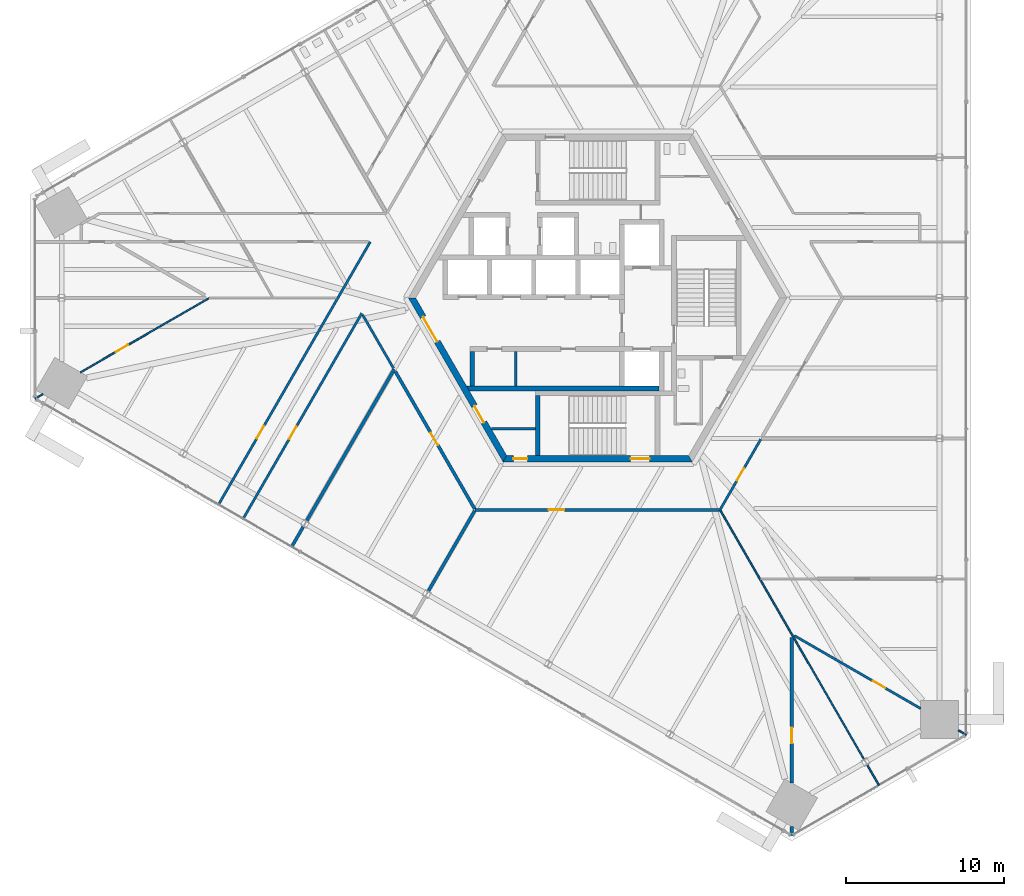
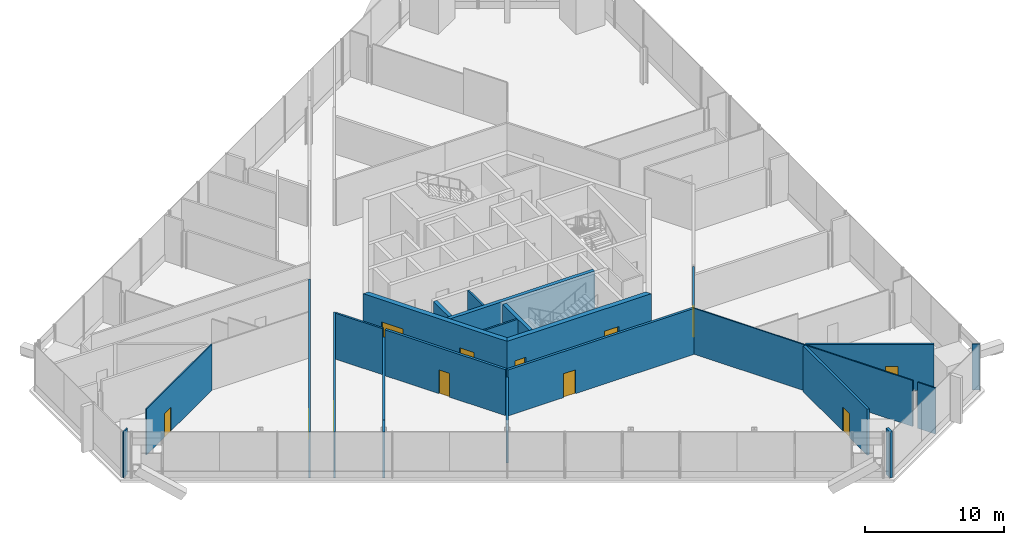
# One storey, part 16 of 22: 24 walls, 12 doors, 12 openings.
"""IFC4 building model written with IfcOpenShell, lengths in metres."""

import ifcopenshell
import ifcopenshell.guid

model = None  # the IFC model being written
_history = None  # IfcOwnerHistory: only IFC2X3 demands one
_inside = {}  # id of a spatial element -> (the spatial element, [elements in it])
_under = {}  # id of a project, library or spatial element -> (it, [spatial elements below it])
_declared = {}  # id of a project -> (the project, [libraries it declares])
_typed = {}  # id of a type object -> (the type object, [elements of that type])
_made_of = {}  # id of a material, layer set ... -> (it, [elements and type objects made of it])


def new_model(schema):
    """Start an empty IFC model of exactly this schema.

    Asked for "IFC4X3", IfcOpenShell would pick the latest addendum, in which some entities
    have other attributes; the version numbers below select the first issue.
    IFC2X3 requires an IfcOwnerHistory on every rooted entity: one is made here for all.
    """
    global model, _history
    if schema == "IFC4X3":
        model = ifcopenshell.file(schema_version=(4, 3, 0, 0))
    else:
        model = ifcopenshell.file(schema=schema)
    _inside.clear()
    _under.clear()
    _declared.clear()
    _typed.clear()
    _made_of.clear()
    _history = None
    if model.schema == "IFC2X3":
        org = make("IfcOrganization", Name="unknown")
        user = make(
            "IfcPersonAndOrganization",
            ThePerson=make("IfcPerson", FamilyName="unknown"),
            TheOrganization=org,
        )
        app = make(
            "IfcApplication",
            ApplicationDeveloper=org,
            Version="unknown",
            ApplicationFullName="unknown",
            ApplicationIdentifier="unknown",
        )
        _history = make(
            "IfcOwnerHistory",
            OwningUser=user,
            OwningApplication=app,
            ChangeAction="ADDED",
            CreationDate=0,
        )
    return model


def make(cls, **values):
    """One entity of the class cls with the attributes given. An attribute that is None is left unset."""
    return model.create_entity(
        cls, **{name: value for name, value in values.items() if value is not None}
    )


def rooted(cls, **values):
    """An entity with a GlobalId (a new one), such as an element, a storey or a relation."""
    return make(cls, GlobalId=ifcopenshell.guid.new(), OwnerHistory=_history, **values)


def si_unit(unit_type, name, prefix=None):
    """IfcSIUnit, for example si_unit("LENGTHUNIT", "METRE", prefix="MILLI")."""
    return make("IfcSIUnit", UnitType=unit_type, Prefix=prefix, Name=name)


def assignment(units):
    """IfcUnitAssignment: the units of a project."""
    return None if units is None else make("IfcUnitAssignment", Units=units)


def point(xyz):
    """IfcCartesianPoint."""
    return None if xyz is None else make("IfcCartesianPoint", Coordinates=xyz)


def direction(xyz):
    """IfcDirection."""
    return None if xyz is None else make("IfcDirection", DirectionRatios=xyz)


def frame(location, z_axis=None, x_axis=None):
    """IfcAxis2Placement3D, a coordinate frame: its origin and axes. An axis left out is left unset."""
    return make(
        "IfcAxis2Placement3D",
        Location=point(location),
        Axis=direction(z_axis),
        RefDirection=direction(x_axis),
    )


def frame_2d(location, x_axis=None):
    """IfcAxis2Placement2D, a coordinate frame in the plane: its origin and x axis."""
    return make(
        "IfcAxis2Placement2D", Location=point(location), RefDirection=direction(x_axis)
    )


def origin():
    """The frame at (0, 0, 0) with its axes left unset."""
    return frame((0.0, 0.0, 0.0))


def place(relative_to, where):
    """IfcLocalPlacement: puts the frame where relative to a parent placement (None: the world)."""
    return make(
        "IfcLocalPlacement", PlacementRelTo=relative_to, RelativePlacement=where
    )


def context(
    kind, dimensions, precision=None, world=None, true_north=None, identifier=None
):
    """IfcGeometricRepresentationContext, for example the 3D "Model" context."""
    return make(
        "IfcGeometricRepresentationContext",
        ContextIdentifier=identifier,
        ContextType=kind,
        CoordinateSpaceDimension=dimensions,
        Precision=precision,
        WorldCoordinateSystem=world,
        TrueNorth=true_north,
    )


def subcontext(parent, identifier, kind, view, scale=None):
    """IfcGeometricRepresentationSubContext, for example "Body" below "Model"."""
    return make(
        "IfcGeometricRepresentationSubContext",
        ContextIdentifier=identifier,
        ContextType=kind,
        ParentContext=parent,
        TargetScale=scale,
        TargetView=view,
    )


def project(units=None, contexts=None):
    """IfcProject with its units and contexts."""
    return rooted(
        "IfcProject",
        Name="project",
        RepresentationContexts=contexts,
        UnitsInContext=assignment(units),
    )


def spatial(cls, under=None, at=None, **own):
    """A site, building, storey or space (cls), placed at a placement, below another one or the project."""
    s = rooted(cls, ObjectPlacement=at, **own)
    if under is not None:
        _under.setdefault(under.id(), (under, []))[1].append(s)
    return s


def polyline(points):
    """IfcPolyline through the points."""
    return make("IfcPolyline", Points=[point(p) for p in points])


def profile(cls, at=None, kind="AREA", **sizes):
    """A parametric profile (cls). Its sizes go by their IFC names, for example OverallWidth=200.0."""
    return make(cls, ProfileType=kind, Position=at, **sizes)


def rectangle(**sizes):
    """IfcRectangleProfileDef."""
    return profile("IfcRectangleProfileDef", **sizes)


def outline(outer, holes=None, kind="AREA"):
    """IfcArbitraryClosedProfileDef: a profile drawn as a closed curve; with holes, ...WithVoids."""
    if holes is None:
        return make("IfcArbitraryClosedProfileDef", ProfileType=kind, OuterCurve=outer)
    return make(
        "IfcArbitraryProfileDefWithVoids",
        ProfileType=kind,
        OuterCurve=outer,
        InnerCurves=holes,
    )


def extrude(swept, where, along, depth):
    """IfcExtrudedAreaSolid: the profile swept, set in the frame where, extruded along a direction by depth."""
    return make(
        "IfcExtrudedAreaSolid",
        SweptArea=swept,
        Position=where,
        ExtrudedDirection=direction(along),
        Depth=depth,
    )


def shape(context_of_items, identifier, shape_type, items):
    """IfcShapeRepresentation: the items that make up one representation, for example the "Body"."""
    return make(
        "IfcShapeRepresentation",
        ContextOfItems=context_of_items,
        RepresentationIdentifier=identifier,
        RepresentationType=shape_type,
        Items=items,
    )


def source(mapping_origin, context_of_items, identifier, shape_type, items):
    """IfcRepresentationMap: a shape defined once, which mapped items show again and again."""
    return make(
        "IfcRepresentationMap",
        MappingOrigin=mapping_origin,
        MappedRepresentation=shape(context_of_items, identifier, shape_type, items),
    )


def transform(
    local_origin,
    x_axis=None,
    y_axis=None,
    z_axis=None,
    scale=None,
    scale2=None,
    scale3=None,
    uniform=True,
):
    """IfcCartesianTransformationOperator3D, or its non-uniform kind. x_axis, y_axis, z_axis: its Axis1, 2, 3."""
    if uniform:
        return make(
            "IfcCartesianTransformationOperator3D",
            Axis1=direction(x_axis),
            Axis2=direction(y_axis),
            LocalOrigin=point(local_origin),
            Scale=scale,
            Axis3=direction(z_axis),
        )
    return make(
        "IfcCartesianTransformationOperator3DnonUniform",
        Axis1=direction(x_axis),
        Axis2=direction(y_axis),
        LocalOrigin=point(local_origin),
        Scale=scale,
        Axis3=direction(z_axis),
        Scale2=scale2,
        Scale3=scale3,
    )


def mapped(mapping_source, mapping_target):
    """IfcMappedItem: shows the shape of a source again, moved by a transform."""
    return make(
        "IfcMappedItem", MappingSource=mapping_source, MappingTarget=mapping_target
    )


def material(Name=None, Category=None):
    """IfcMaterial."""
    return make("IfcMaterial", Name=Name, Category=Category)


def layer(
    of_material, thickness, ventilated=None, Name=None, Category=None, Priority=None
):
    """IfcMaterialLayer: one layer of a wall or slab, of a material (None: an air gap)."""
    return make(
        "IfcMaterialLayer",
        Material=of_material,
        LayerThickness=thickness,
        IsVentilated=ventilated,
        Name=Name,
        Category=Category,
        Priority=Priority,
    )


def layer_set(layers, Name=None):
    """IfcMaterialLayerSet."""
    return make("IfcMaterialLayerSet", MaterialLayers=layers, LayerSetName=Name)


def made_of(thing, what):
    """Note that an element or type object is made of a material, layer set ...; save() writes the relation."""
    if what is not None:
        _made_of.setdefault(what.id(), (what, []))[1].append(thing)
    return thing


def type_object(cls, material=None, **own):
    """A type object (cls), such as IfcWallType, which elements share."""
    return made_of(rooted(cls, **own), material)


def element(
    cls,
    number,
    at=None,
    inside=None,
    cuts=None,
    type_object=None,
    material=None,
    context=None,
    identifier="Body",
    shape_type=None,
    held_by="IfcProductDefinitionShape",
    body=None,
    shapes=None,
    **own,
):
    """One element of the class cls, such as IfcWall. Its Tag is "e" and its number.

    at: its placement. inside: the storey or other place that contains it. cuts: it is an
    opening in that element (IfcRelVoidsElement). A single representation is given by context,
    identifier, shape_type and body (its items); several are given by shapes. held_by: the class
    of the entity that holds the representations. save() writes the other relations.
    """
    e = rooted(cls, Tag="e%d" % number, ObjectPlacement=at, **own)
    if body is not None:
        shapes = [shape(context, identifier, shape_type, body)]
    if shapes is not None:
        e.Representation = make(held_by, Representations=shapes)
    if inside is not None:
        _inside.setdefault(inside.id(), (inside, []))[1].append(e)
    if cuts is not None:
        rooted(
            "IfcRelVoidsElement", RelatingBuildingElement=cuts, RelatedOpeningElement=e
        )
    if type_object is not None:
        _typed.setdefault(type_object.id(), (type_object, []))[1].append(e)
    return made_of(e, material)


def fill(opening, filler):
    """IfcRelFillsElement: the door or window that sits in an opening."""
    return rooted(
        "IfcRelFillsElement",
        RelatingOpeningElement=opening,
        RelatedBuildingElement=filler,
    )


def aggregate(whole, parts):
    """IfcRelAggregates: a whole, such as a stair, and the parts it consists of."""
    return rooted("IfcRelAggregates", RelatingObject=whole, RelatedObjects=parts)


def save(model, path):
    """Write the relations noted so far, then the file.

    IfcRelAggregates (storeys below a building ...), IfcRelContainedInSpatialStructure (elements
    in a storey), IfcRelDefinesByType, IfcRelAssociatesMaterial and IfcRelDeclares: one each for
    every whole, place, type object, material and project.
    """
    for whole, parts in _under.values():
        aggregate(whole, parts)
    for where, things in _inside.values():
        rooted(
            "IfcRelContainedInSpatialStructure",
            RelatedElements=things,
            RelatingStructure=where,
        )
    for kind, things in _typed.values():
        rooted("IfcRelDefinesByType", RelatedObjects=things, RelatingType=kind)
    for what, things in _made_of.values():
        rooted("IfcRelAssociatesMaterial", RelatedObjects=things, RelatingMaterial=what)
    for by, libraries in _declared.values():
        rooted("IfcRelDeclares", RelatingContext=by, RelatedDefinitions=libraries)
    model.write(path)


model = new_model("IFC4")

# Units and contexts
model_context = context("Model", 3, precision=1e-05, world=origin(), true_north=direction((0.0, 1.0)))
body_context = subcontext(model_context, "Body", "Model", "MODEL_VIEW")
ifc_project = project(units=[si_unit("LENGTHUNIT", "METRE"), si_unit("AREAUNIT", "SQUARE_METRE"), si_unit("VOLUMEUNIT", "CUBIC_METRE"), si_unit("PLANEANGLEUNIT", "RADIAN"), si_unit("MASSUNIT", "GRAM", prefix="KILO")], contexts=[model_context])

# Site, building, storey
site_placement = place(None, origin())
site = spatial("IfcSite", under=ifc_project, at=site_placement, CompositionType="ELEMENT")
building_placement = place(site_placement, origin())
building = spatial("IfcBuilding", under=site, at=building_placement, Name="Triune Harvest Tower", CompositionType="ELEMENT")
storey_placement = place(building_placement, frame((0.0, 0.0, 50.39990234375)))
storey = spatial("IfcBuildingStorey", under=building, at=storey_placement, Name="L11", CompositionType="ELEMENT", Elevation=50.39990234375)

# Walls
ifc_material_1 = material(Name="Concrete masonry unit", Category="masonry")
ifc_layer_1 = layer(ifc_material_1, 0.14990234375)
ifc_layer_set_1 = layer_set([ifc_layer_1], Name="Concrete masonry unit")
wall_type_1 = type_object("IfcWallType", Name="Block partition 150", PredefinedType="PARTITIONING", material=ifc_layer_set_1)
wall_1_placement = place(storey_placement, frame((-5.199951171875, -5.590087890625, 0.0), z_axis=(0.0, 0.0, 1.0), x_axis=(0.0, 1.0, 0.0)))
element("IfcWall", 1, at=wall_1_placement, inside=storey, type_object=wall_type_1, Name="Row s part 1 wall", PredefinedType="PARTITIONING", context=body_context, shape_type="SweptSolid", body=[
    extrude(rectangle(XDim=2.2001953125, YDim=0.14990234375, at=frame_2d((1.10009765625, 0.0))), origin(), (0.0, 0.0, 1.0), 4.050048828125),
])
wall_2_placement = place(storey_placement, frame((-6.72705078125, -8.300048828125, 0.0), z_axis=(0.0, 0.0, 1.0), x_axis=(1.0, 0.0, 0.0)))
element("IfcWall", 2, at=wall_2_placement, inside=storey, type_object=wall_type_1, Name="Sw part wall", PredefinedType="PARTITIONING", context=body_context, shape_type="SweptSolid", body=[
    extrude(rectangle(XDim=2.777099609375, YDim=0.14990234375, at=frame_2d((1.388671875, 0.0))), origin(), (0.0, 0.0, 1.0), 4.050048828125),
])
ifc_material_2 = material(Name="Concrete 70 MPa", Category="concrete")
ifc_layer_2 = layer(ifc_material_2, 0.300048828125)
ifc_layer_set_2 = layer_set([ifc_layer_2], Name="Concrete 70 MPa")
wall_type_2 = type_object("IfcWallType", Name="Core wall 300", PredefinedType="SHEAR", material=ifc_layer_set_2)
wall_3_placement = place(storey_placement, frame((-8.10009765625, -5.739990234375, 0.0), z_axis=(0.0, 0.0, 1.0), x_axis=(1.0, 0.0, 0.0)))
element("IfcWall", 3, at=wall_3_placement, inside=storey, type_object=wall_type_2, Name="South back wall", PredefinedType="SHEAR", context=body_context, shape_type="SweptSolid", body=[
    extrude(outline(polyline([(12.0, -0.14990234375), (-0.039794921875, -0.14990234375), (-0.212890625, 0.14990234375), (12.0, 0.14990234375), (12.0, -0.14990234375)])), origin(), (0.0, 0.0, 1.0), 4.050048828125),
])
ifc_material_3 = material(Name="Gypsum board on steel studs", Category="steel")
ifc_layer_3 = layer(ifc_material_3, 0.14990234375)
ifc_layer_set_3 = layer_set([ifc_layer_3], Name="Gypsum board on steel studs")
wall_type_3 = type_object("IfcWallType", Name="Fire Partition 150 mm", PredefinedType="PARTITIONING", material=ifc_layer_set_3)
wall_4_placement = place(storey_placement, frame((-14.902587890625, -1.072509765625, 0.0), z_axis=(0.0, 0.0, 1.0), x_axis=(0.500012721296, -0.866018059016, 0.0)))
element("IfcWall", 4, at=wall_4_placement, inside=storey, type_object=wall_type_3, Name="Partition L11 004", PredefinedType="PARTITIONING", context=body_context, shape_type="SweptSolid", body=[
    extrude(rectangle(XDim=3.931640625, YDim=0.14990234375, at=frame_2d((1.9658203125, 0.0))), origin(), (0.0, 0.0, 1.0), 4.050048828125),
])

# Wall, opening, door
wall_5_placement = place(storey_placement, frame((12.4736328125, -21.414794921875, 0.0), z_axis=(0.0, 0.0, 1.0), x_axis=(0.86602701864, -0.499997202977, 0.0)))
wall_5 = element("IfcWall", 5, at=wall_5_placement, inside=storey, type_object=wall_type_3, Name="Partition L11 020", PredefinedType="PARTITIONING", context=body_context, shape_type="SweptSolid", body=[
    extrude(rectangle(XDim=9.255859375, YDim=0.14990234375, at=frame_2d((4.6279296875, 0.0))), origin(), (0.0, 0.0, 1.0), 4.050048828125),
])
opening_1_placement = place(wall_5_placement, frame((5.760009765625, 0.0, 0.0)))
opening_1 = element("IfcOpeningElement", 6, at=opening_1_placement, cuts=wall_5, Name="Opening L11-025", PredefinedType="OPENING", context=body_context, shape_type="SweptSolid", body=[
    extrude(rectangle(XDim=0.89990234375, YDim=2.10009765625, at=frame_2d((0.449951171875, 1.050048828125))), frame((0.0, 0.0849609375, 0.0), z_axis=(0.0, -1.0, 0.0), x_axis=(1.0, 0.0, 0.0)), (0.0, 0.0, 1.0), 0.169921875),
])
ifc_material_4 = material(Name="Timber and steel door set", Category="steel")
door_type_1 = type_object("IfcDoorType", Name="Single leaf door FD30 left hand 900 x 2100", OperationType="SINGLE_SWING_LEFT", PredefinedType="DOOR", material=ifc_material_4)
door_1_placement = place(opening_1_placement, origin())
door_1 = element("IfcDoor", 7, at=door_1_placement, inside=storey, type_object=door_type_1, Name="Door L11-025 Feed Store 11.25", OperationType="SINGLE_SWING_LEFT", OverallHeight=2.10009765625, OverallWidth=0.89990234375, PredefinedType="DOOR", context=body_context, shape_type="SweptSolid", body=[
    extrude(rectangle(XDim=0.89990234375, YDim=2.10009765625, at=frame_2d((0.449951171875, 1.050048828125))), frame((0.0, 0.02490234375, 0.0), z_axis=(0.0, -1.0, 0.0), x_axis=(1.0, 0.0, 0.0)), (0.0, 0.0, 1.0), 0.050048828125),
])
fill(opening_1, door_1)

wall_6_placement = place(storey_placement, frame((7.77587890625, -13.416259765625, 0.0), z_axis=(0.0, 0.0, 1.0), x_axis=(0.50002671436, 0.866009979692, 0.0)))
wall_6 = element("IfcWall", 8, at=wall_6_placement, inside=storey, type_object=wall_type_3, Name="Partition L11 045", PredefinedType="PARTITIONING", context=body_context, shape_type="SweptSolid", body=[
    extrude(rectangle(XDim=5.139892578125, YDim=0.14990234375, at=frame_2d((2.56982421875, 0.0))), origin(), (0.0, 0.0, 1.0), 4.050048828125),
])
opening_2_placement = place(wall_6_placement, frame((2.119873046875, 0.0, 0.0)))
opening_2 = element("IfcOpeningElement", 9, at=opening_2_placement, cuts=wall_6, Name="Opening L11-002", PredefinedType="OPENING", context=body_context, shape_type="SweptSolid", body=[
    extrude(rectangle(XDim=0.89990234375, YDim=2.10009765625, at=frame_2d((0.449951171875, 1.050048828125))), frame((0.0, 0.0849609375, 0.0), z_axis=(0.0, -1.0, 0.0), x_axis=(1.0, 0.0, 0.0)), (0.0, 0.0, 1.0), 0.169921875),
])
ifc_material_5 = material(Name="Timber and steel door set", Category="steel")
door_type_2 = type_object("IfcDoorType", Name="Single leaf door FD30 right hand 900 x 2100", OperationType="SINGLE_SWING_RIGHT", PredefinedType="DOOR", material=ifc_material_5)
door_2_placement = place(opening_2_placement, origin())
door_2 = element("IfcDoor", 10, at=door_2_placement, inside=storey, type_object=door_type_2, Name="Door L11-002 Staff Room 11.02", OperationType="SINGLE_SWING_RIGHT", OverallHeight=2.10009765625, OverallWidth=0.89990234375, PredefinedType="DOOR", context=body_context, shape_type="SweptSolid", body=[
    extrude(rectangle(XDim=0.89990234375, YDim=2.10009765625, at=frame_2d((0.449951171875, 1.050048828125))), frame((0.0, 0.02490234375, 0.0), z_axis=(0.0, -1.0, 0.0), x_axis=(1.0, 0.0, 0.0)), (0.0, 0.0, 1.0), 0.050048828125),
])
fill(opening_2, door_2)

wall_7_placement = place(storey_placement, frame((-22.480712890625, -14.0078125, 0.0), z_axis=(0.0, 0.0, 1.0), x_axis=(0.500001023236, 0.866024813018, 0.0)))
wall_7 = element("IfcWall", 11, at=wall_7_placement, inside=storey, type_object=wall_type_3, Name="Partition L11 052", PredefinedType="PARTITIONING", context=body_context, shape_type="SweptSolid", body=[
    extrude(rectangle(XDim=15.04638671875, YDim=0.14990234375, at=frame_2d((7.523193359375, 0.0))), origin(), (0.0, 0.0, 1.0), 4.050048828125),
])
opening_3_placement = place(wall_7_placement, frame((5.85009765625, 0.0, 0.0)))
opening_3 = element("IfcOpeningElement", 12, at=opening_3_placement, cuts=wall_7, Name="Opening L11-021", PredefinedType="OPENING", context=body_context, shape_type="SweptSolid", body=[
    extrude(rectangle(XDim=0.89990234375, YDim=2.10009765625, at=frame_2d((0.449951171875, 1.050048828125))), frame((0.0, 0.0849609375, 0.0), z_axis=(0.0, -1.0, 0.0), x_axis=(1.0, 0.0, 0.0)), (0.0, 0.0, 1.0), 0.169921875),
])
door_3_placement = place(opening_3_placement, origin())
door_3 = element("IfcDoor", 13, at=door_3_placement, inside=storey, type_object=door_type_2, Name="Door L11-021 Packing Room 11.21", OperationType="SINGLE_SWING_RIGHT", OverallHeight=2.10009765625, OverallWidth=0.89990234375, PredefinedType="DOOR", context=body_context, shape_type="SweptSolid", body=[
    extrude(rectangle(XDim=0.89990234375, YDim=2.10009765625, at=frame_2d((0.449951171875, 1.050048828125))), frame((0.0, 0.02490234375, 0.0), z_axis=(0.0, -1.0, 0.0), x_axis=(1.0, 0.0, 0.0)), (0.0, 0.0, 1.0), 0.050048828125),
])
fill(opening_3, door_3)

wall_8_placement = place(storey_placement, frame((-24.03955078125, -13.107666015625, 0.0), z_axis=(0.0, 0.0, 1.0), x_axis=(0.500008033299, 0.866020765707, 0.0)))
wall_8 = element("IfcWall", 14, at=wall_8_placement, inside=storey, type_object=wall_type_3, Name="Partition L11 055", PredefinedType="PARTITIONING", context=body_context, shape_type="SweptSolid", body=[
    extrude(rectangle(XDim=19.240478515625, YDim=0.14990234375, at=frame_2d((9.6201171875, 0.0))), origin(), (0.0, 0.0, 1.0), 4.050048828125),
])
opening_4_placement = place(wall_8_placement, frame((4.852294921875, 0.0, 0.0)))
opening_4 = element("IfcOpeningElement", 15, at=opening_4_placement, cuts=wall_8, Name="Opening L11-020", PredefinedType="OPENING", context=body_context, shape_type="SweptSolid", body=[
    extrude(rectangle(XDim=0.89990234375, YDim=2.10009765625, at=frame_2d((0.449951171875, 1.050048828125))), frame((0.0, 0.0849609375, 0.0), z_axis=(0.0, -1.0, 0.0), x_axis=(1.0, 0.0, 0.0)), (0.0, 0.0, 1.0), 0.169921875),
])
door_4_placement = place(opening_4_placement, origin())
door_4 = element("IfcDoor", 16, at=door_4_placement, inside=storey, type_object=door_type_1, Name="Door L11-020 Dry Store Room 11.20", OperationType="SINGLE_SWING_LEFT", OverallHeight=2.10009765625, OverallWidth=0.89990234375, PredefinedType="DOOR", context=body_context, shape_type="SweptSolid", body=[
    extrude(rectangle(XDim=0.89990234375, YDim=2.10009765625, at=frame_2d((0.449951171875, 1.050048828125))), frame((0.0, 0.02490234375, 0.0), z_axis=(0.0, -1.0, 0.0), x_axis=(1.0, 0.0, 0.0)), (0.0, 0.0, 1.0), 0.050048828125),
])
fill(opening_4, door_4)

ifc_material_6 = material(Name="Gypsum board on steel studs", Category="steel")
ifc_layer_4 = layer(ifc_material_6, 0.199951171875)
ifc_layer_set_4 = layer_set([ifc_layer_4], Name="Gypsum board on steel studs")
wall_type_4 = type_object("IfcWallType", Name="Fire Wall 200 mm", PredefinedType="PARTITIONING", material=ifc_layer_set_4)
wall_9_placement = place(storey_placement, frame((-12.826904296875, -4.66796875, 0.0), z_axis=(0.0, 0.0, 1.0), x_axis=(0.500014404596, -0.866017087127, 0.0)))
wall_9 = element("IfcWall", 17, at=wall_9_placement, inside=storey, type_object=wall_type_4, Name="Partition L11 005", PredefinedType="PARTITIONING", context=body_context, shape_type="SweptSolid", body=[
    extrude(rectangle(XDim=10.061767578125, YDim=0.199951171875, at=frame_2d((5.03076171875, 0.0))), origin(), (0.0, 0.0, 1.0), 4.050048828125),
])
opening_5_placement = place(wall_9_placement, frame((4.493408203125, 0.0, 0.0)))
opening_5 = element("IfcOpeningElement", 18, at=opening_5_placement, cuts=wall_9, Name="Opening L11-022", PredefinedType="OPENING", context=body_context, shape_type="SweptSolid", body=[
    extrude(rectangle(XDim=0.89990234375, YDim=2.10009765625, at=frame_2d((0.449951171875, 1.050048828125))), frame((0.0, 0.10986328125, 0.0), z_axis=(0.0, -1.0, 0.0), x_axis=(1.0, 0.0, 0.0)), (0.0, 0.0, 1.0), 0.219970703125),
])
ifc_material_7 = material(Name="Timber and steel door set", Category="steel")
door_type_3 = type_object("IfcDoorType", Name="Single leaf door FD60 right hand 900 x 2100", OperationType="SINGLE_SWING_RIGHT", PredefinedType="DOOR", material=ifc_material_7)
door_5_placement = place(opening_5_placement, origin())
door_5 = element("IfcDoor", 19, at=door_5_placement, inside=storey, type_object=door_type_3, Name="Door L11-022 Filtration Room 11.22", OperationType="SINGLE_SWING_RIGHT", OverallHeight=2.10009765625, OverallWidth=0.89990234375, PredefinedType="DOOR", context=body_context, shape_type="SweptSolid", body=[
    extrude(rectangle(XDim=0.89990234375, YDim=2.10009765625, at=frame_2d((0.449951171875, 1.050048828125))), frame((0.0, 0.02490234375, 0.0), z_axis=(0.0, -1.0, 0.0), x_axis=(1.0, 0.0, 0.0)), (0.0, 0.0, 1.0), 0.050048828125),
])
fill(opening_5, door_5)

wall_10_placement = place(storey_placement, frame((-7.760986328125, -13.4423828125, 0.0), z_axis=(0.0, 0.0, 1.0), x_axis=(1.0, 0.0, 0.0)))
wall_10 = element("IfcWall", 20, at=wall_10_placement, inside=storey, type_object=wall_type_4, Name="Partition L11 024", PredefinedType="PARTITIONING", context=body_context, shape_type="SweptSolid", body=[
    extrude(rectangle(XDim=15.491943359375, YDim=0.199951171875, at=frame_2d((7.74609375, 0.0))), origin(), (0.0, 0.0, 1.0), 4.050048828125),
])
opening_6_placement = place(wall_10_placement, frame((4.64990234375, 0.0, 0.0)))
opening_6 = element("IfcOpeningElement", 21, at=opening_6_placement, cuts=wall_10, Name="Opening L11-023", PredefinedType="OPENING", context=body_context, shape_type="SweptSolid", body=[
    extrude(rectangle(XDim=1.0, YDim=2.10009765625, at=frame_2d((0.5, 1.050048828125))), frame((0.0, 0.10986328125, 0.0), z_axis=(0.0, -1.0, 0.0), x_axis=(1.0, 0.0, 0.0)), (0.0, 0.0, 1.0), 0.219970703125),
])
ifc_material_8 = material(Name="Timber and steel door set", Category="steel")
door_type_4 = type_object("IfcDoorType", Name="Wide single leaf door FD60 right hand 1000 x 2100", OperationType="SINGLE_SWING_RIGHT", PredefinedType="DOOR", material=ifc_material_8)
door_6_placement = place(opening_6_placement, origin())
door_6 = element("IfcDoor", 22, at=door_6_placement, inside=storey, type_object=door_type_4, Name="Door L11-023 Fish Tank Hall 11.23", OperationType="SINGLE_SWING_RIGHT", OverallHeight=2.10009765625, OverallWidth=1.0, PredefinedType="DOOR", context=body_context, shape_type="SweptSolid", body=[
    extrude(rectangle(XDim=1.0, YDim=2.10009765625, at=frame_2d((0.5, 1.050048828125))), frame((0.0, 0.02490234375, 0.0), z_axis=(0.0, -1.0, 0.0), x_axis=(1.0, 0.0, 0.0)), (0.0, 0.0, 1.0), 0.050048828125),
])
fill(opening_6, door_6)

# Walls
wall_11_placement = place(storey_placement, frame((-10.7431640625, -18.607666015625, 0.0), z_axis=(0.0, 0.0, 1.0), x_axis=(0.499987757185, 0.866032472062, 0.0)))
element("IfcWall", 23, at=wall_11_placement, inside=storey, type_object=wall_type_4, Name="Partition L11 048", PredefinedType="PARTITIONING", context=body_context, shape_type="SweptSolid", body=[
    extrude(rectangle(XDim=5.894775390625, YDim=0.199951171875, at=frame_2d((2.947265625, 0.0))), origin(), (0.0, 0.0, 1.0), 3.43798828125),
])
wall_12_placement = place(storey_placement, frame((12.30908203125, -34.093505859375, 0.0), z_axis=(0.0, 0.0, 1.0), x_axis=(0.0, 1.0, 0.0)))
element("IfcWall", 24, at=wall_12_placement, inside=storey, type_object=wall_type_4, Name="Partition L11 061", PredefinedType="PARTITIONING", context=body_context, shape_type="SweptSolid", body=[
    extrude(rectangle(XDim=0.579345703125, YDim=0.199951171875, at=frame_2d((0.28955078125, 0.0))), origin(), (0.0, 0.0, 1.0), 4.050048828125),
])

# Wall, opening, door
wall_13_placement = place(storey_placement, frame((12.30908203125, -30.765869140625, 0.0), z_axis=(0.0, 0.0, 1.0), x_axis=(0.0, 1.0, 0.0)))
wall_13 = element("IfcWall", 25, at=wall_13_placement, inside=storey, type_object=wall_type_4, Name="Partition L11 062", PredefinedType="PARTITIONING", context=body_context, shape_type="SweptSolid", body=[
    extrude(rectangle(XDim=9.2158203125, YDim=0.199951171875, at=frame_2d((4.60791015625, 0.0))), origin(), (0.0, 0.0, 1.0), 4.050048828125),
])
opening_7_placement = place(wall_13_placement, frame((2.522216796875, 0.0, 0.0)))
opening_7 = element("IfcOpeningElement", 26, at=opening_7_placement, cuts=wall_13, Name="Opening L11-024", PredefinedType="OPENING", context=body_context, shape_type="SweptSolid", body=[
    extrude(rectangle(XDim=1.0, YDim=2.10009765625, at=frame_2d((0.5, 1.050048828125))), frame((0.0, 0.10986328125, 0.0), z_axis=(0.0, -1.0, 0.0), x_axis=(1.0, 0.0, 0.0)), (0.0, 0.0, 1.0), 0.219970703125),
])
door_7_placement = place(opening_7_placement, origin())
door_7 = element("IfcDoor", 27, at=door_7_placement, inside=storey, type_object=door_type_4, Name="Door L11-024 Aquaponic Growing Room 11.24", OperationType="SINGLE_SWING_RIGHT", OverallHeight=2.10009765625, OverallWidth=1.0, PredefinedType="DOOR", context=body_context, shape_type="SweptSolid", body=[
    extrude(rectangle(XDim=1.0, YDim=2.10009765625, at=frame_2d((0.5, 1.050048828125))), frame((0.0, 0.02490234375, 0.0), z_axis=(0.0, -1.0, 0.0), x_axis=(1.0, 0.0, 0.0)), (0.0, 0.0, 1.0), 0.050048828125),
])
fill(opening_7, door_7)

# Walls
ifc_material_9 = material(Name="Gypsum board on steel studs", Category="steel")
ifc_layer_5 = layer(ifc_material_9, 0.10009765625)
ifc_layer_set_5 = layer_set([ifc_layer_5], Name="Gypsum board on steel studs")
wall_type_5 = type_object("IfcWallType", Name="Partition 100 mm", PredefinedType="PARTITIONING", material=ifc_layer_set_5)
wall_14_placement = place(storey_placement, frame((7.7607421875, -13.4423828125, 0.0), z_axis=(0.0, 0.0, 1.0), x_axis=(0.499995773473, -0.866027843957, 0.0)))
element("IfcWall", 28, at=wall_14_placement, inside=storey, type_object=wall_type_5, Name="Partition L11 012", PredefinedType="PARTITIONING", context=body_context, shape_type="SweptSolid", body=[
    extrude(rectangle(XDim=18.273681640625, YDim=0.10009765625, at=frame_2d((9.13671875, 0.0))), origin(), (0.0, 0.0, 1.0), 4.050048828125),
])
wall_15_placement = place(storey_placement, frame((17.0908203125, -29.602294921875, 0.0), z_axis=(0.0, 0.0, 1.0), x_axis=(0.499905760005, -0.866079806435, 0.0)))
element("IfcWall", 29, at=wall_15_placement, inside=storey, type_object=wall_type_5, Name="Partition L11 013", PredefinedType="PARTITIONING", context=body_context, shape_type="SweptSolid", body=[
    extrude(rectangle(XDim=1.498779296875, YDim=0.10009765625, at=frame_2d((0.74951171875, 0.0))), origin(), (0.0, 0.0, 1.0), 4.050048828125),
])
wall_16_placement = place(storey_placement, frame((22.869384765625, -27.4169921875, 0.0), z_axis=(0.0, 0.0, 1.0), x_axis=(0.866136511816, -0.499807505846, 0.0)))
element("IfcWall", 30, at=wall_16_placement, inside=storey, type_object=wall_type_5, Name="Partition L11 021", PredefinedType="PARTITIONING", context=body_context, shape_type="SweptSolid", body=[
    extrude(rectangle(XDim=0.579833984375, YDim=0.10009765625, at=frame_2d((0.2900390625, 0.0))), origin(), (0.0, 0.0, 1.0), 4.050048828125),
])
wall_17_placement = place(storey_placement, frame((-35.680419921875, -6.38671875, 0.0), z_axis=(0.0, 0.0, 1.0), x_axis=(0.865925909604, 0.500172289392, 0.0)))
element("IfcWall", 31, at=wall_17_placement, inside=storey, type_object=wall_type_5, Name="Partition L11 042", PredefinedType="PARTITIONING", context=body_context, shape_type="SweptSolid", body=[
    extrude(rectangle(XDim=0.579345703125, YDim=0.10009765625, at=frame_2d((0.28955078125, 0.0))), origin(), (0.0, 0.0, 1.0), 4.050048828125),
])

# Wall, opening, door
wall_18_placement = place(storey_placement, frame((-32.798583984375, -4.722900390625, 0.0), z_axis=(0.0, 0.0, 1.0), x_axis=(0.866028486751, 0.499994660107, 0.0)))
wall_18 = element("IfcWall", 32, at=wall_18_placement, inside=storey, type_object=wall_type_5, Name="Partition L11 043", PredefinedType="PARTITIONING", context=body_context, shape_type="SweptSolid", body=[
    extrude(rectangle(XDim=9.44580078125, YDim=0.10009765625, at=frame_2d((4.722900390625, 0.0))), origin(), (0.0, 0.0, 1.0), 4.050048828125),
])
opening_8_placement = place(wall_18_placement, frame((2.595947265625, 0.0, 0.0)))
opening_8 = element("IfcOpeningElement", 33, at=opening_8_placement, cuts=wall_18, Name="Opening L11-019", PredefinedType="OPENING", context=body_context, shape_type="SweptSolid", body=[
    extrude(rectangle(XDim=0.89990234375, YDim=2.10009765625, at=frame_2d((0.449951171875, 1.050048828125))), frame((0.0, 0.06005859375, 0.0), z_axis=(0.0, -1.0, 0.0), x_axis=(1.0, 0.0, 0.0)), (0.0, 0.0, 1.0), 0.1201171875),
])
ifc_material_10 = material(Name="Timber and steel door set", Category="steel")
door_type_5 = type_object("IfcDoorType", Name="Single leaf door left hand 900 x 2100", OperationType="SINGLE_SWING_LEFT", PredefinedType="DOOR", material=ifc_material_10)
door_8_placement = place(opening_8_placement, origin())
door_8 = element("IfcDoor", 34, at=door_8_placement, inside=storey, type_object=door_type_5, Name="Door L11-019 Packing Room 11.19", OperationType="SINGLE_SWING_LEFT", OverallHeight=2.10009765625, OverallWidth=0.89990234375, PredefinedType="DOOR", context=body_context, shape_type="SweptSolid", body=[
    extrude(rectangle(XDim=0.89990234375, YDim=2.10009765625, at=frame_2d((0.449951171875, 1.050048828125))), frame((0.0, 0.02490234375, 0.0), z_axis=(0.0, -1.0, 0.0), x_axis=(1.0, 0.0, 0.0)), (0.0, 0.0, 1.0), 0.050048828125),
])
fill(opening_8, door_8)

# Wall, openings, doors
ifc_material_11 = material(Name="Concrete 70 MPa", Category="concrete")
ifc_layer_6 = layer(ifc_material_11, 0.39990234375)
ifc_layer_set_6 = layer_set([ifc_layer_6], Name="Concrete 70 MPa")
wall_type_6 = type_object("IfcWallType", Name="Core wall 400", PredefinedType="SHEAR", material=ifc_layer_set_6)
shared_shape_1 = source(origin(), body_context, "Body", "SweptSolid", [
    extrude(outline(polyline([(-0.115478515625, -0.199951171875), (11.884521484375, -0.199951171875), (11.653564453125, 0.199951171875), (0.115478515625, 0.199951171875), (-0.115478515625, -0.199951171875)])), origin(), (0.0, 0.0, 1.0), 4.050048828125),
])
wall_19_placement = place(storey_placement, frame((-11.76904296875, 0.0, 0.0), z_axis=(0.0, 0.0, 1.0), x_axis=(0.499996592174, -0.866027371285, 0.0)))
wall_19 = element("IfcWall", 35, at=wall_19_placement, inside=storey, type_object=wall_type_6, Name="Hexagon 3 wall", PredefinedType="SHEAR", context=body_context, shape_type="MappedRepresentation", body=[
    mapped(shared_shape_1, transform((0.0, 0.0, 0.0), scale=1.0)),
])
opening_9_placement = place(wall_19_placement, frame((1.404541015625, 0.0, 0.0)))
opening_9 = element("IfcOpeningElement", 36, at=opening_9_placement, cuts=wall_19, Name="Opening CD-LS", PredefinedType="OPENING", context=body_context, shape_type="SweptSolid", body=[
    extrude(rectangle(XDim=1.800048828125, YDim=2.10009765625, at=frame_2d((0.89990234375, 1.050048828125))), frame((0.0, 0.2099609375, 0.0), z_axis=(0.0, -1.0, 0.0), x_axis=(1.0, 0.0, 0.0)), (0.0, 0.0, 1.0), 0.419921875),
])
opening_10_placement = place(wall_19_placement, frame((7.91455078125, 0.0, 0.0)))
opening_10 = element("IfcOpeningElement", 37, at=opening_10_placement, cuts=wall_19, Name="Opening CD-SWP", PredefinedType="OPENING", context=body_context, shape_type="SweptSolid", body=[
    extrude(rectangle(XDim=1.199951171875, YDim=2.10009765625, at=frame_2d((0.60009765625, 1.050048828125))), frame((0.0, 0.2099609375, 0.0), z_axis=(0.0, -1.0, 0.0), x_axis=(1.0, 0.0, 0.0)), (0.0, 0.0, 1.0), 0.419921875),
])
ifc_material_12 = material(Name="Steel S235", Category="steel")
door_type_6 = type_object("IfcDoorType", Name="Lobby door 1800 FD120", OperationType="DOUBLE_DOOR_DOUBLE_SWING", PredefinedType="DOOR", material=ifc_material_12)
door_9_placement = place(opening_9_placement, frame((1.800048828125, 0.0, 0.0), z_axis=(0.0, 0.0, 1.0), x_axis=(-1.0, 0.0, 0.0)))
door_9 = element("IfcDoor", 38, at=door_9_placement, inside=storey, type_object=door_type_6, Name="Door CD-LS", OperationType="DOUBLE_DOOR_DOUBLE_SWING", OverallHeight=2.10009765625, OverallWidth=1.800048828125, PredefinedType="DOOR", context=body_context, shape_type="SweptSolid", body=[
    extrude(rectangle(XDim=1.800048828125, YDim=2.10009765625, at=frame_2d((0.89990234375, 1.050048828125))), frame((0.0, 0.02490234375, 0.0), z_axis=(0.0, -1.0, 0.0), x_axis=(1.0, 0.0, 0.0)), (0.0, 0.0, 1.0), 0.050048828125),
])
fill(opening_9, door_9)
ifc_material_13 = material(Name="Steel S235", Category="steel")
door_type_7 = type_object("IfcDoorType", Name="Service door 1200 FD120", OperationType="SINGLE_SWING_LEFT", PredefinedType="DOOR", material=ifc_material_13)
door_10_placement = place(opening_10_placement, frame((1.199951171875, 0.0, 0.0), z_axis=(0.0, 0.0, 1.0), x_axis=(-1.0, 0.0, 0.0)))
door_10 = element("IfcDoor", 39, at=door_10_placement, inside=storey, type_object=door_type_7, Name="Door CD-SWP", OperationType="SINGLE_SWING_RIGHT", OverallHeight=2.10009765625, OverallWidth=1.199951171875, PredefinedType="DOOR", context=body_context, shape_type="SweptSolid", body=[
    extrude(rectangle(XDim=1.199951171875, YDim=2.10009765625, at=frame_2d((0.60009765625, 1.050048828125))), frame((0.0, 0.02490234375, 0.0), z_axis=(0.0, -1.0, 0.0), x_axis=(1.0, 0.0, 0.0)), (0.0, 0.0, 1.0), 0.050048828125),
])
fill(opening_10, door_10)

wall_20_placement = place(storey_placement, frame((-5.884521484375, -10.1923828125, 0.0), z_axis=(0.0, 0.0, 1.0), x_axis=(1.0, 0.0, 0.0)))
wall_20 = element("IfcWall", 40, at=wall_20_placement, inside=storey, type_object=wall_type_6, Name="Hexagon 4 wall", PredefinedType="SHEAR", context=body_context, shape_type="MappedRepresentation", body=[
    mapped(shared_shape_1, transform((0.0, 0.0, 0.0), scale=1.0)),
])
opening_11_placement = place(wall_20_placement, frame((7.984619140625, 0.0, 0.0)))
opening_11 = element("IfcOpeningElement", 41, at=opening_11_placement, cuts=wall_20, Name="Opening CD-S2P", PredefinedType="OPENING", context=body_context, shape_type="SweptSolid", body=[
    extrude(rectangle(XDim=1.199951171875, YDim=2.10009765625, at=frame_2d((0.60009765625, 1.050048828125))), frame((0.0, 0.2099609375, 0.0), z_axis=(0.0, -1.0, 0.0), x_axis=(1.0, 0.0, 0.0)), (0.0, 0.0, 1.0), 0.419921875),
])
opening_12_placement = place(wall_20_placement, frame((0.534423828125, 0.0, 0.0)))
opening_12 = element("IfcOpeningElement", 42, at=opening_12_placement, cuts=wall_20, Name="Opening CD-SWS", PredefinedType="OPENING", context=body_context, shape_type="SweptSolid", body=[
    extrude(rectangle(XDim=0.89990234375, YDim=2.10009765625, at=frame_2d((0.449951171875, 1.050048828125))), frame((0.0, 0.2099609375, 0.0), z_axis=(0.0, -1.0, 0.0), x_axis=(1.0, 0.0, 0.0)), (0.0, 0.0, 1.0), 0.419921875),
])
ifc_material_14 = material(Name="Steel S235", Category="steel")
door_type_8 = type_object("IfcDoorType", Name="Riser door 900 FD120", OperationType="SINGLE_SWING_LEFT", PredefinedType="DOOR", material=ifc_material_14)
door_11_placement = place(opening_12_placement, frame((0.89990234375, 0.0, 0.0), z_axis=(0.0, 0.0, 1.0), x_axis=(-1.0, 0.0, 0.0)))
door_11 = element("IfcDoor", 43, at=door_11_placement, inside=storey, type_object=door_type_8, Name="Door CD-SWS", OperationType="SINGLE_SWING_RIGHT", OverallHeight=2.10009765625, OverallWidth=0.89990234375, PredefinedType="DOOR", context=body_context, shape_type="SweptSolid", body=[
    extrude(rectangle(XDim=0.89990234375, YDim=2.10009765625, at=frame_2d((0.449951171875, 1.050048828125))), frame((0.0, 0.02490234375, 0.0), z_axis=(0.0, -1.0, 0.0), x_axis=(1.0, 0.0, 0.0)), (0.0, 0.0, 1.0), 0.050048828125),
])
fill(opening_12, door_11)
ifc_material_15 = material(Name="Steel S235", Category="steel")
door_type_9 = type_object("IfcDoorType", Name="Stair door 1200 FD120", OperationType="SINGLE_SWING_LEFT", PredefinedType="DOOR", material=ifc_material_15)
door_12_placement = place(opening_11_placement, frame((1.199951171875, 0.0, 0.0), z_axis=(0.0, 0.0, 1.0), x_axis=(-1.0, 0.0, 0.0)))
door_12 = element("IfcDoor", 44, at=door_12_placement, inside=storey, type_object=door_type_9, Name="Door CD-S2P", OperationType="SINGLE_SWING_RIGHT", OverallHeight=2.10009765625, OverallWidth=1.199951171875, PredefinedType="DOOR", context=body_context, shape_type="SweptSolid", body=[
    extrude(rectangle(XDim=1.199951171875, YDim=2.10009765625, at=frame_2d((0.60009765625, 1.050048828125))), frame((0.0, 0.02490234375, 0.0), z_axis=(0.0, -1.0, 0.0), x_axis=(1.0, 0.0, 0.0)), (0.0, 0.0, 1.0), 0.050048828125),
])
fill(opening_11, door_12)

# Walls
shared_shape_2 = source(origin(), body_context, "Body", "SweptSolid", [
    extrude(rectangle(XDim=2.2001953125, YDim=0.300048828125, at=frame_2d((1.10009765625, 0.0))), origin(), (0.0, 0.0, 1.0), 4.050048828125),
])
wall_21_placement = place(storey_placement, frame((-7.949951171875, -5.590087890625, 0.0), z_axis=(0.0, 0.0, 1.0), x_axis=(0.0, 1.0, 0.0)))
element("IfcWall", 45, at=wall_21_placement, inside=storey, type_object=wall_type_2, Name="South end west wall", PredefinedType="SHEAR", context=body_context, shape_type="MappedRepresentation", body=[
    mapped(shared_shape_2, transform((0.0, 0.0, 0.0), scale=1.0)),
])
shared_shape_3 = source(origin(), body_context, "Body", "SweptSolid", [
    extrude(outline(polyline([(3.800048828125, -0.14990234375), (-0.00439453125, -0.14990234375), (-0.00439453125, 0.14990234375), (3.800048828125, 0.14990234375), (3.800048828125, -0.14990234375)])), origin(), (0.0, 0.0, 1.0), 4.050048828125),
])
wall_22_placement = place(storey_placement, frame((-3.800048828125, -9.989990234375, 0.0), z_axis=(0.0, 0.0, 1.0), x_axis=(0.0, 1.0, 0.0)))
element("IfcWall", 46, at=wall_22_placement, inside=storey, type_object=wall_type_2, Name="Stair s west wall", PredefinedType="SHEAR", context=body_context, shape_type="MappedRepresentation", body=[
    mapped(shared_shape_3, transform((0.0, 0.0, 0.0), scale=1.0)),
])
shared_shape_4 = source(origin(), body_context, "Body", "SweptSolid", [
    extrude(rectangle(XDim=1.49853515625, YDim=0.199951171875, at=frame_2d((0.749267578125, 0.0))), origin(), (0.0, 0.0, 1.0), 4.050048828125),
])
wall_23_placement = place(storey_placement, frame((-19.40185546875, -15.78515625, 0.0), z_axis=(0.0, 0.0, 1.0), x_axis=(0.499976292358, 0.866039090965, 0.0)))
element("IfcWall", 47, at=wall_23_placement, inside=storey, type_object=wall_type_4, Name="Partition L11 050", PredefinedType="PARTITIONING", context=body_context, shape_type="MappedRepresentation", body=[
    mapped(shared_shape_4, transform((0.0, 0.0, 0.0), scale=1.0)),
])
shared_shape_5 = source(origin(), body_context, "Body", "SweptSolid", [
    extrude(rectangle(XDim=11.108642578125, YDim=0.199951171875, at=frame_2d((5.55419921875, 0.0))), origin(), (0.0, 0.0, 1.0), 3.293212890625),
])
wall_24_placement = place(storey_placement, frame((-18.45947265625, -14.152587890625, 0.0), z_axis=(0.0, 0.0, 1.0), x_axis=(0.5000084499, 0.866020525177, 0.0)))
element("IfcWall", 48, at=wall_24_placement, inside=storey, type_object=wall_type_4, Name="Partition L11 051", PredefinedType="PARTITIONING", context=body_context, shape_type="MappedRepresentation", body=[
    mapped(shared_shape_5, transform((0.0, 0.0, 0.0), scale=1.0)),
])

save(model, "model.ifc")
